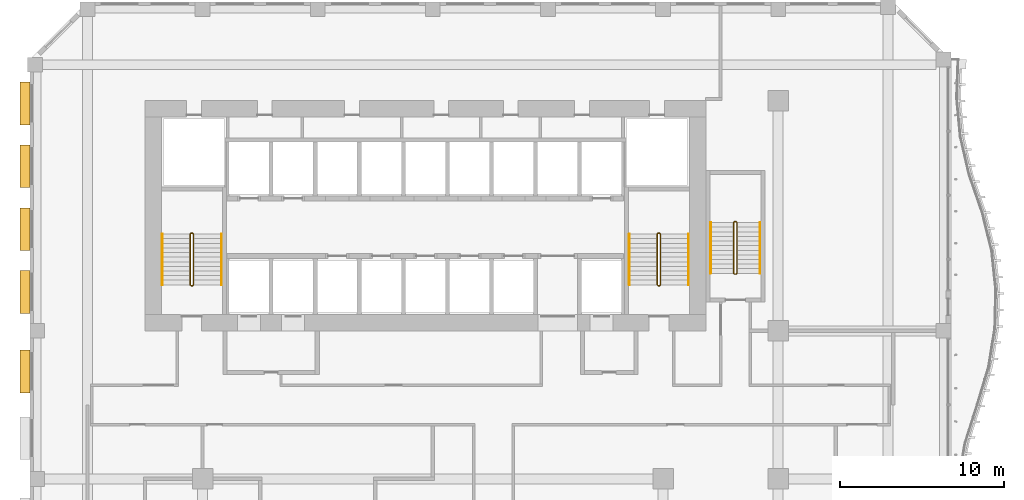
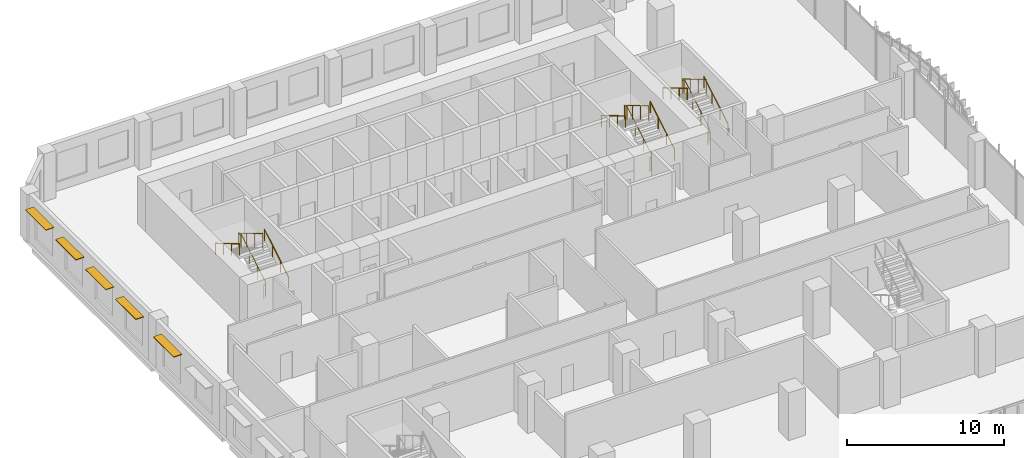
# One storey, part 26 of 27: 9 railings, 5 shading devices.
"""IFC4 building model written with IfcOpenShell, lengths in metres."""

from ifc_helpers import new_model, si_unit, direction, frame, origin, origin_2d, place, context, subcontext, project, spatial, rectangle, circle, extrude, source, transform, mapped, material, layer, layer_set, type_object, element, save


model = new_model("IFC4")

# Units and contexts
model_context = context("Model", 3, precision=1e-05, world=origin(), true_north=direction((0.0, 1.0)))
body_context = subcontext(model_context, "Body", "Model", "MODEL_VIEW")
ifc_project = project(units=[si_unit("LENGTHUNIT", "METRE"), si_unit("AREAUNIT", "SQUARE_METRE"), si_unit("VOLUMEUNIT", "CUBIC_METRE"), si_unit("PLANEANGLEUNIT", "RADIAN"), si_unit("MASSUNIT", "GRAM", prefix="KILO")], contexts=[model_context])

# Site, building, storey
site_placement = place(None, origin())
site = spatial("IfcSite", under=ifc_project, at=site_placement, CompositionType="ELEMENT")
building_placement = place(site_placement, origin())
building = spatial("IfcBuilding", under=site, at=building_placement, Name="Kilnfold Tower and Market Hall", CompositionType="ELEMENT")
storey_placement = place(building_placement, frame((0.0, 0.0, 71.199951171875)))
storey = spatial("IfcBuildingStorey", under=building, at=storey_placement, Name="L16", CompositionType="ELEMENT", Elevation=71.199951171875)

# Railings
ifc_material_1 = material(Name="Stainless steel 316", Category="steel")
railing_type_1 = type_object("IfcRailingType", Name="CORE STAIR GUARD 1100", PredefinedType="GUARDRAIL", material=ifc_material_1)
railing_1_placement = place(storey_placement, frame((-13.199951171875, 10.75, 0.0)))
element("IfcRailing", 1, at=railing_1_placement, inside=storey, type_object=railing_type_1, Name="L16 ST1 stair guard 1", PredefinedType="GUARDRAIL", context=body_context, shape_type="SweptSolid", body=[
    extrude(circle(Radius=0.02392578125, at=origin_2d()), frame((0.0, 0.0, 1.076171875), z_axis=(1.0, 0.0, 0.0), x_axis=(0.0, 1.0, 0.0)), (0.0, 0.0, 1.0), 0.099853515625),
    extrude(circle(Radius=0.02392578125, at=origin_2d()), frame((0.099853515625, 0.0, 1.076171875), z_axis=(0.27628659633, 0.27628659633, 0.920506074601), x_axis=(-0.707106781187, 0.707106781187, 0.0)), (0.0, 0.0, 1.0), 0.18115234375),
    extrude(circle(Radius=0.02392578125, at=origin_2d()), frame((0.14990234375, 0.050048828125, 1.24267578125), z_axis=(0.0, 0.859290745958, 0.51148745235), x_axis=(-1.0, 0.0, 0.0)), (0.0, 0.0, 1.0), 3.584228515625),
    extrude(circle(Radius=0.02392578125, at=origin_2d()), frame((0.14990234375, 3.1298828125, 3.076171875), z_axis=(-0.707106781187, 0.707106781187, 0.0), x_axis=(-0.707106781187, -0.707106781187, 0.0)), (0.0, 0.0, 1.0), 0.07080078125),
    extrude(circle(Radius=0.02392578125, at=origin_2d()), frame((0.099853515625, 3.179931640625, 3.076171875), z_axis=(-1.0, 0.0, 0.0), x_axis=(0.0, -1.0, 0.0)), (0.0, 0.0, 1.0), 0.099853515625),
    extrude(circle(Radius=0.02392578125, at=origin_2d()), frame((0.0, 3.179931640625, 3.076171875), z_axis=(-0.27628659633, -0.27628659633, 0.920506074601), x_axis=(0.707106781187, -0.707106781187, 0.0)), (0.0, 0.0, 1.0), 0.18115234375),
    extrude(circle(Radius=0.02392578125, at=origin_2d()), frame((-0.050048828125, 3.1298828125, 3.24267578125), z_axis=(0.0, -0.859290745958, 0.51148745235), x_axis=(1.0, 0.0, 0.0)), (0.0, 0.0, 1.0), 3.584228515625),
    extrude(circle(Radius=0.02099609375, at=origin_2d()), origin(), (0.0, 0.0, 1.0), 1.052001953125),
    extrude(circle(Radius=0.02099609375, at=origin_2d()), frame((0.099853515625, 0.0, 0.0)), (0.0, 0.0, 1.0), 1.052001953125),
    extrude(circle(Radius=0.02099609375, at=origin_2d()), frame((0.14990234375, 0.050048828125, 0.166748046875)), (0.0, 0.0, 1.0), 1.052001953125),
    extrude(circle(Radius=0.02099609375, at=origin_2d()), frame((0.14990234375, 1.07666015625, 0.77783203125)), (0.0, 0.0, 1.0), 1.052001953125),
    extrude(circle(Radius=0.02099609375, at=origin_2d()), frame((0.14990234375, 2.103271484375, 1.388916015625)), (0.0, 0.0, 1.0), 1.052001953125),
    extrude(circle(Radius=0.02099609375, at=origin_2d()), frame((0.14990234375, 3.1298828125, 2.0)), (0.0, 0.0, 1.0), 1.052001953125),
    extrude(circle(Radius=0.02099609375, at=origin_2d()), frame((0.099853515625, 3.179931640625, 2.0)), (0.0, 0.0, 1.0), 1.052001953125),
    extrude(circle(Radius=0.02099609375, at=origin_2d()), frame((0.0, 3.179931640625, 2.0)), (0.0, 0.0, 1.0), 1.052001953125),
    extrude(circle(Radius=0.02099609375, at=origin_2d()), frame((-0.050048828125, 3.1298828125, 2.166748046875)), (0.0, 0.0, 1.0), 1.052001953125),
    extrude(circle(Radius=0.02099609375, at=origin_2d()), frame((-0.050048828125, 2.103271484375, 2.77783203125)), (0.0, 0.0, 1.0), 1.052001953125),
    extrude(circle(Radius=0.02099609375, at=origin_2d()), frame((-0.050048828125, 1.07666015625, 3.388916015625)), (0.0, 0.0, 1.0), 1.052001953125),
    extrude(circle(Radius=0.02099609375, at=origin_2d()), frame((-0.050048828125, 0.050048828125, 4.0)), (0.0, 0.0, 1.0), 1.052001953125),
])
railing_2_placement = place(storey_placement, frame((15.199951171875, 10.75, 0.0)))
element("IfcRailing", 2, at=railing_2_placement, inside=storey, type_object=railing_type_1, Name="L16 ST2 stair guard 1", PredefinedType="GUARDRAIL", context=body_context, shape_type="SweptSolid", body=[
    extrude(circle(Radius=0.02392578125, at=origin_2d()), frame((0.0, 0.0, 1.076171875), z_axis=(1.0, 0.0, 0.0), x_axis=(0.0, 1.0, 0.0)), (0.0, 0.0, 1.0), 0.10009765625),
    extrude(circle(Radius=0.02392578125, at=origin_2d()), frame((0.10009765625, 0.0, 1.076171875), z_axis=(0.27628659633, 0.27628659633, 0.920506074601), x_axis=(-0.707106781187, 0.707106781187, 0.0)), (0.0, 0.0, 1.0), 0.18115234375),
    extrude(circle(Radius=0.02392578125, at=origin_2d()), frame((0.150146484375, 0.050048828125, 1.24267578125), z_axis=(0.0, 0.859290745958, 0.51148745235), x_axis=(-1.0, 0.0, 0.0)), (0.0, 0.0, 1.0), 3.584228515625),
    extrude(circle(Radius=0.02392578125, at=origin_2d()), frame((0.150146484375, 3.1298828125, 3.076171875), z_axis=(-0.707106781187, 0.707106781187, 0.0), x_axis=(-0.707106781187, -0.707106781187, 0.0)), (0.0, 0.0, 1.0), 0.07080078125),
    extrude(circle(Radius=0.02392578125, at=origin_2d()), frame((0.10009765625, 3.179931640625, 3.076171875), z_axis=(-1.0, 0.0, 0.0), x_axis=(0.0, -1.0, 0.0)), (0.0, 0.0, 1.0), 0.10009765625),
    extrude(circle(Radius=0.02392578125, at=origin_2d()), frame((0.0, 3.179931640625, 3.076171875), z_axis=(-0.27628659633, -0.27628659633, 0.920506074601), x_axis=(0.707106781187, -0.707106781187, 0.0)), (0.0, 0.0, 1.0), 0.18115234375),
    extrude(circle(Radius=0.02392578125, at=origin_2d()), frame((-0.050048828125, 3.1298828125, 3.24267578125), z_axis=(0.0, -0.859290745958, 0.51148745235), x_axis=(1.0, 0.0, 0.0)), (0.0, 0.0, 1.0), 3.584228515625),
    extrude(circle(Radius=0.02099609375, at=origin_2d()), origin(), (0.0, 0.0, 1.0), 1.052001953125),
    extrude(circle(Radius=0.02099609375, at=origin_2d()), frame((0.10009765625, 0.0, 0.0)), (0.0, 0.0, 1.0), 1.052001953125),
    extrude(circle(Radius=0.02099609375, at=origin_2d()), frame((0.150146484375, 0.050048828125, 0.166748046875)), (0.0, 0.0, 1.0), 1.052001953125),
    extrude(circle(Radius=0.02099609375, at=origin_2d()), frame((0.150146484375, 1.07666015625, 0.77783203125)), (0.0, 0.0, 1.0), 1.052001953125),
    extrude(circle(Radius=0.02099609375, at=origin_2d()), frame((0.150146484375, 2.103271484375, 1.388916015625)), (0.0, 0.0, 1.0), 1.052001953125),
    extrude(circle(Radius=0.02099609375, at=origin_2d()), frame((0.150146484375, 3.1298828125, 2.0)), (0.0, 0.0, 1.0), 1.052001953125),
    extrude(circle(Radius=0.02099609375, at=origin_2d()), frame((0.10009765625, 3.179931640625, 2.0)), (0.0, 0.0, 1.0), 1.052001953125),
    extrude(circle(Radius=0.02099609375, at=origin_2d()), frame((0.0, 3.179931640625, 2.0)), (0.0, 0.0, 1.0), 1.052001953125),
    extrude(circle(Radius=0.02099609375, at=origin_2d()), frame((-0.050048828125, 3.1298828125, 2.166748046875)), (0.0, 0.0, 1.0), 1.052001953125),
    extrude(circle(Radius=0.02099609375, at=origin_2d()), frame((-0.050048828125, 2.103271484375, 2.77783203125)), (0.0, 0.0, 1.0), 1.052001953125),
    extrude(circle(Radius=0.02099609375, at=origin_2d()), frame((-0.050048828125, 1.07666015625, 3.388916015625)), (0.0, 0.0, 1.0), 1.052001953125),
    extrude(circle(Radius=0.02099609375, at=origin_2d()), frame((-0.050048828125, 0.050048828125, 4.0)), (0.0, 0.0, 1.0), 1.052001953125),
])
railing_3_placement = place(storey_placement, frame((19.85009765625, 11.449951171875, 0.0)))
element("IfcRailing", 3, at=railing_3_placement, inside=storey, type_object=railing_type_1, Name="L16 ST5 stair guard 1", PredefinedType="GUARDRAIL", context=body_context, shape_type="SweptSolid", body=[
    extrude(circle(Radius=0.02392578125, at=origin_2d()), frame((0.0, 0.0, 1.076171875), z_axis=(1.0, 0.0, 0.0), x_axis=(0.0, 1.0, 0.0)), (0.0, 0.0, 1.0), 0.099853515625),
    extrude(circle(Radius=0.02392578125, at=origin_2d()), frame((0.099853515625, 0.0, 1.076171875), z_axis=(0.27628659633, 0.27628659633, 0.920506074601), x_axis=(-0.707106781187, 0.707106781187, 0.0)), (0.0, 0.0, 1.0), 0.18115234375),
    extrude(circle(Radius=0.02392578125, at=origin_2d()), frame((0.14990234375, 0.050048828125, 1.24267578125), z_axis=(0.0, 0.859308565015, 0.511457515432), x_axis=(-1.0, 0.0, 0.0)), (0.0, 0.0, 1.0), 3.58447265625),
    extrude(circle(Radius=0.02392578125, at=origin_2d()), frame((0.14990234375, 3.130126953125, 3.076171875), z_axis=(-0.708833529934, 0.705375805398, 0.0), x_axis=(-0.705375805398, -0.708833529934, 0.0)), (0.0, 0.0, 1.0), 0.070556640625),
    extrude(circle(Radius=0.02392578125, at=origin_2d()), frame((0.099853515625, 3.179931640625, 3.076171875), z_axis=(-1.0, 0.0, 0.0), x_axis=(0.0, -1.0, 0.0)), (0.0, 0.0, 1.0), 0.099853515625),
    extrude(circle(Radius=0.02392578125, at=origin_2d()), frame((0.0, 3.179931640625, 3.076171875), z_axis=(-0.276389281352, -0.275041040955, 0.920848191041), x_axis=(0.705375805398, -0.708833529934, 0.0)), (0.0, 0.0, 1.0), 0.18115234375),
    extrude(circle(Radius=0.02392578125, at=origin_2d()), frame((-0.050048828125, 3.130126953125, 3.24267578125), z_axis=(0.0, -0.859308565015, 0.511457515432), x_axis=(1.0, 0.0, 0.0)), (0.0, 0.0, 1.0), 3.58447265625),
    extrude(circle(Radius=0.02099609375, at=origin_2d()), origin(), (0.0, 0.0, 1.0), 1.052001953125),
    extrude(circle(Radius=0.02099609375, at=origin_2d()), frame((0.099853515625, 0.0, 0.0)), (0.0, 0.0, 1.0), 1.052001953125),
    extrude(circle(Radius=0.02099609375, at=origin_2d()), frame((0.14990234375, 0.050048828125, 0.166748046875)), (0.0, 0.0, 1.0), 1.052001953125),
    extrude(circle(Radius=0.02099609375, at=origin_2d()), frame((0.14990234375, 1.07666015625, 0.77783203125)), (0.0, 0.0, 1.0), 1.052001953125),
    extrude(circle(Radius=0.02099609375, at=origin_2d()), frame((0.14990234375, 2.103515625, 1.388916015625)), (0.0, 0.0, 1.0), 1.052001953125),
    extrude(circle(Radius=0.02099609375, at=origin_2d()), frame((0.14990234375, 3.130126953125, 2.0)), (0.0, 0.0, 1.0), 1.052001953125),
    extrude(circle(Radius=0.02099609375, at=origin_2d()), frame((0.099853515625, 3.179931640625, 2.0)), (0.0, 0.0, 1.0), 1.052001953125),
    extrude(circle(Radius=0.02099609375, at=origin_2d()), frame((0.0, 3.179931640625, 2.0)), (0.0, 0.0, 1.0), 1.052001953125),
    extrude(circle(Radius=0.02099609375, at=origin_2d()), frame((-0.050048828125, 3.130126953125, 2.166748046875)), (0.0, 0.0, 1.0), 1.052001953125),
    extrude(circle(Radius=0.02099609375, at=origin_2d()), frame((-0.050048828125, 2.103515625, 2.77783203125)), (0.0, 0.0, 1.0), 1.052001953125),
    extrude(circle(Radius=0.02099609375, at=origin_2d()), frame((-0.050048828125, 1.07666015625, 3.388916015625)), (0.0, 0.0, 1.0), 1.052001953125),
    extrude(circle(Radius=0.02099609375, at=origin_2d()), frame((-0.050048828125, 0.050048828125, 4.0)), (0.0, 0.0, 1.0), 1.052001953125),
])
ifc_material_2 = material(Name="Stainless steel 316", Category="steel")
railing_type_2 = type_object("IfcRailingType", Name="CORE STAIR HANDRAIL 900", PredefinedType="HANDRAIL", material=ifc_material_2)
railing_4_placement = place(storey_placement, frame((-11.35009765625, 10.800048828125, 0.166748046875)))
element("IfcRailing", 4, at=railing_4_placement, inside=storey, type_object=railing_type_2, Name="L16 ST1 stair handrail 1", PredefinedType="HANDRAIL", context=body_context, shape_type="SweptSolid", body=[
    extrude(circle(Radius=0.02392578125, at=origin_2d()), frame((0.0, 0.0, 0.8759765625), z_axis=(0.0, 0.859290745958, 0.51148745235), x_axis=(-1.0, 0.0, 0.0)), (0.0, 0.0, 1.0), 3.584228515625),
    extrude(circle(Radius=0.02099609375, at=origin_2d()), origin(), (0.0, 0.0, 1.0), 0.851806640625),
    extrude(circle(Radius=0.02099609375, at=origin_2d()), frame((0.0, 1.026611328125, 0.611083984375)), (0.0, 0.0, 1.0), 0.851806640625),
    extrude(circle(Radius=0.02099609375, at=origin_2d()), frame((0.0, 2.05322265625, 1.22216796875)), (0.0, 0.0, 1.0), 0.851806640625),
    extrude(circle(Radius=0.02099609375, at=origin_2d()), frame((0.0, 3.079833984375, 1.833251953125)), (0.0, 0.0, 1.0), 0.851806640625),
])
railing_5_placement = place(storey_placement, frame((-14.949951171875, 13.8798828125, 2.166748046875)))
element("IfcRailing", 5, at=railing_5_placement, inside=storey, type_object=railing_type_2, Name="L16 ST1 stair handrail 2", PredefinedType="HANDRAIL", context=body_context, shape_type="SweptSolid", body=[
    extrude(circle(Radius=0.02392578125, at=origin_2d()), frame((0.0, 0.0, 0.8759765625), z_axis=(0.0, -0.859290745958, 0.51148745235), x_axis=(1.0, 0.0, 0.0)), (0.0, 0.0, 1.0), 3.584228515625),
    extrude(circle(Radius=0.02099609375, at=origin_2d()), origin(), (0.0, 0.0, 1.0), 0.851806640625),
    extrude(circle(Radius=0.02099609375, at=origin_2d()), frame((0.0, -1.026611328125, 0.611083984375)), (0.0, 0.0, 1.0), 0.851806640625),
    extrude(circle(Radius=0.02099609375, at=origin_2d()), frame((0.0, -2.05322265625, 1.22216796875)), (0.0, 0.0, 1.0), 0.851806640625),
    extrude(circle(Radius=0.02099609375, at=origin_2d()), frame((0.0, -3.079833984375, 1.833251953125)), (0.0, 0.0, 1.0), 0.851806640625),
])
railing_6_placement = place(storey_placement, frame((17.050048828125, 10.800048828125, 0.166748046875)))
element("IfcRailing", 6, at=railing_6_placement, inside=storey, type_object=railing_type_2, Name="L16 ST2 stair handrail 1", PredefinedType="HANDRAIL", context=body_context, shape_type="SweptSolid", body=[
    extrude(circle(Radius=0.02392578125, at=origin_2d()), frame((0.0, 0.0, 0.8759765625), z_axis=(0.0, 0.859290745958, 0.51148745235), x_axis=(-1.0, 0.0, 0.0)), (0.0, 0.0, 1.0), 3.584228515625),
    extrude(circle(Radius=0.02099609375, at=origin_2d()), origin(), (0.0, 0.0, 1.0), 0.851806640625),
    extrude(circle(Radius=0.02099609375, at=origin_2d()), frame((0.0, 1.026611328125, 0.611083984375)), (0.0, 0.0, 1.0), 0.851806640625),
    extrude(circle(Radius=0.02099609375, at=origin_2d()), frame((0.0, 2.05322265625, 1.22216796875)), (0.0, 0.0, 1.0), 0.851806640625),
    extrude(circle(Radius=0.02099609375, at=origin_2d()), frame((0.0, 3.079833984375, 1.833251953125)), (0.0, 0.0, 1.0), 0.851806640625),
])
railing_7_placement = place(storey_placement, frame((13.449951171875, 13.8798828125, 2.166748046875)))
element("IfcRailing", 7, at=railing_7_placement, inside=storey, type_object=railing_type_2, Name="L16 ST2 stair handrail 2", PredefinedType="HANDRAIL", context=body_context, shape_type="SweptSolid", body=[
    extrude(circle(Radius=0.02392578125, at=origin_2d()), frame((0.0, 0.0, 0.8759765625), z_axis=(0.0, -0.859290745958, 0.51148745235), x_axis=(1.0, 0.0, 0.0)), (0.0, 0.0, 1.0), 3.584228515625),
    extrude(circle(Radius=0.02099609375, at=origin_2d()), origin(), (0.0, 0.0, 1.0), 0.851806640625),
    extrude(circle(Radius=0.02099609375, at=origin_2d()), frame((0.0, -1.026611328125, 0.611083984375)), (0.0, 0.0, 1.0), 0.851806640625),
    extrude(circle(Radius=0.02099609375, at=origin_2d()), frame((0.0, -2.05322265625, 1.22216796875)), (0.0, 0.0, 1.0), 0.851806640625),
    extrude(circle(Radius=0.02099609375, at=origin_2d()), frame((0.0, -3.079833984375, 1.833251953125)), (0.0, 0.0, 1.0), 0.851806640625),
])
railing_8_placement = place(storey_placement, frame((21.39990234375, 11.5, 0.166748046875)))
element("IfcRailing", 8, at=railing_8_placement, inside=storey, type_object=railing_type_2, Name="L16 ST5 stair handrail 1", PredefinedType="HANDRAIL", context=body_context, shape_type="SweptSolid", body=[
    extrude(circle(Radius=0.02392578125, at=origin_2d()), frame((0.0, 0.0, 0.8759765625), z_axis=(0.0, 0.859308565015, 0.511457515432), x_axis=(-1.0, 0.0, 0.0)), (0.0, 0.0, 1.0), 3.58447265625),
    extrude(circle(Radius=0.02099609375, at=origin_2d()), origin(), (0.0, 0.0, 1.0), 0.851806640625),
    extrude(circle(Radius=0.02099609375, at=origin_2d()), frame((0.0, 1.026611328125, 0.611083984375)), (0.0, 0.0, 1.0), 0.851806640625),
    extrude(circle(Radius=0.02099609375, at=origin_2d()), frame((0.0, 2.053466796875, 1.22216796875)), (0.0, 0.0, 1.0), 0.851806640625),
    extrude(circle(Radius=0.02099609375, at=origin_2d()), frame((0.0, 3.080078125, 1.833251953125)), (0.0, 0.0, 1.0), 0.851806640625),
])
railing_9_placement = place(storey_placement, frame((18.39990234375, 14.580078125, 2.166748046875)))
element("IfcRailing", 9, at=railing_9_placement, inside=storey, type_object=railing_type_2, Name="L16 ST5 stair handrail 2", PredefinedType="HANDRAIL", context=body_context, shape_type="SweptSolid", body=[
    extrude(circle(Radius=0.02392578125, at=origin_2d()), frame((0.0, 0.0, 0.8759765625), z_axis=(0.0, -0.859308565015, 0.511457515432), x_axis=(1.0, 0.0, 0.0)), (0.0, 0.0, 1.0), 3.58447265625),
    extrude(circle(Radius=0.02099609375, at=origin_2d()), origin(), (0.0, 0.0, 1.0), 0.851806640625),
    extrude(circle(Radius=0.02099609375, at=origin_2d()), frame((0.0, -1.026611328125, 0.611083984375)), (0.0, 0.0, 1.0), 0.851806640625),
    extrude(circle(Radius=0.02099609375, at=origin_2d()), frame((0.0, -2.053466796875, 1.22216796875)), (0.0, 0.0, 1.0), 0.851806640625),
    extrude(circle(Radius=0.02099609375, at=origin_2d()), frame((0.0, -3.080078125, 1.833251953125)), (0.0, 0.0, 1.0), 0.851806640625),
])

# Shading devices
ifc_material_3 = material(Name="Terracotta", Category="masonry")
ifc_layer = layer(ifc_material_3, 0.06005859375)
ifc_layer_set = layer_set([ifc_layer], Name="Terracotta")
shading_device_type = type_object("IfcShadingDeviceType", Name="SUNSHADE BLADE 600", PredefinedType="USERDEFINED", material=ifc_layer_set)
shared_shape = source(origin(), body_context, "Body", "SweptSolid", [
    extrude(rectangle(XDim=2.60009765625, YDim=0.60009765625, at=origin_2d()), origin(), (0.0, 0.0, 1.0), 0.06005859375),
])
for number, where, z_axis, x_axis, name in (
    (10, (-23.300048828125, 21.821533203125, 3.030029296875), (0.0, 0.0, 1.0), (0.0, -1.0, 0.0), "Sunshade L16 W"),
    (11, (-23.300048828125, 18.001220703125, 3.030029296875), (0.0, 0.0, 1.0), (0.0, -1.0, 0.0), "Sunshade L16 W"),
    (12, (-23.300048828125, 14.1806640625, 3.030029296875), (0.0, 0.0, 1.0), (0.0, -1.0, 0.0), "Sunshade L16 W"),
    (13, (-23.300048828125, 10.3603515625, 3.030029296875), (0.0, 0.0, 1.0), (0.0, -1.0, 0.0), "Sunshade L16 W"),
    (14, (-23.300048828125, 5.52490234375, 3.030029296875), (0.0, 0.0, 1.0), (0.0, -1.0, 0.0), "Sunshade L16 W"),
):
    element("IfcShadingDevice", number, at=place(storey_placement, frame(where, z_axis=z_axis, x_axis=x_axis)), inside=storey, type_object=shading_device_type, Name=name, ObjectType="SUNSHADE", PredefinedType="USERDEFINED", context=body_context, shape_type="MappedRepresentation", body=[
        mapped(shared_shape, transform((0.0, 0.0, 0.0))),
    ])

save(model, "model.ifc")
